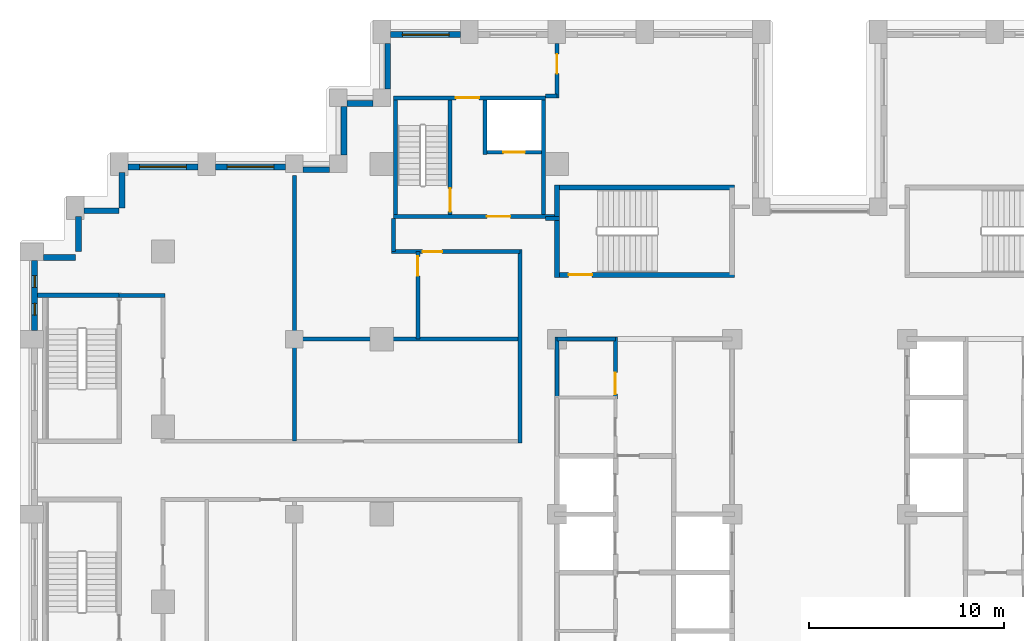
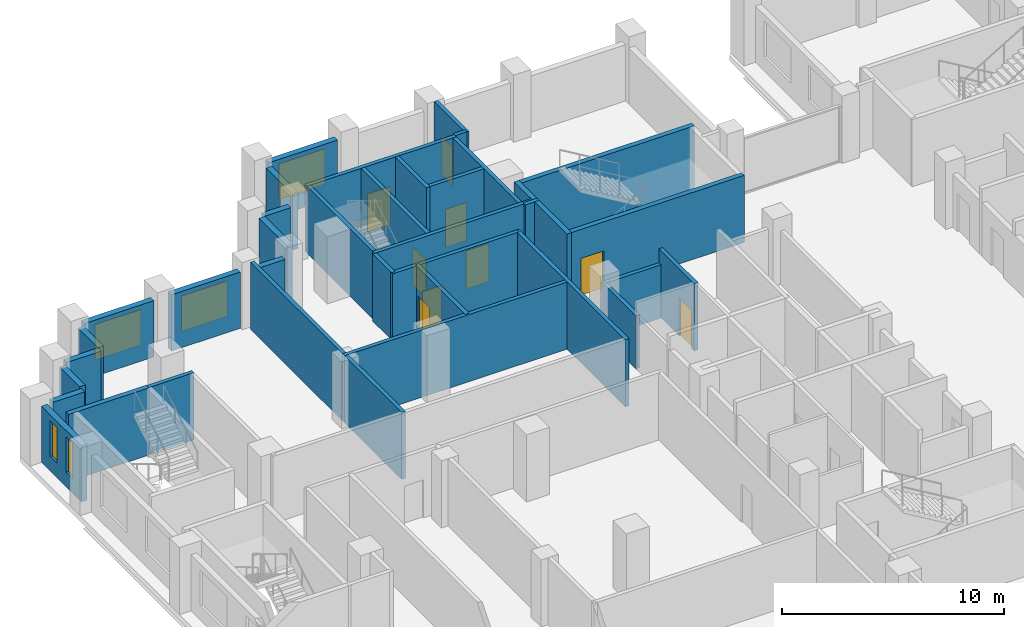
# One storey, part 9 of 15: 36 walls, 9 doors, 5 windows, 14 openings.
"""IFC4 building model written with IfcOpenShell, lengths in metres."""

from ifc_helpers import new_model, si_unit, direction, frame, frame_2d, origin, place, context, subcontext, project, spatial, rectangle, extrude, material, layer, layer_set, type_object, element, fill, save


model = new_model("IFC4")

# Units and contexts
model_context = context("Model", 3, precision=1e-05, world=origin(), true_north=direction((0.0, 1.0)))
body_context = subcontext(model_context, "Body", "Model", "MODEL_VIEW")
ifc_project = project(units=[si_unit("LENGTHUNIT", "METRE"), si_unit("AREAUNIT", "SQUARE_METRE"), si_unit("VOLUMEUNIT", "CUBIC_METRE"), si_unit("PLANEANGLEUNIT", "RADIAN"), si_unit("MASSUNIT", "GRAM", prefix="KILO")], contexts=[model_context])

# Site, building, storey
site_placement = place(None, origin())
site = spatial("IfcSite", under=ifc_project, at=site_placement, CompositionType="ELEMENT")
building_placement = place(site_placement, origin())
building = spatial("IfcBuilding", under=site, at=building_placement, Name="Corbelhall Arena Tower", CompositionType="ELEMENT")
storey_placement = place(building_placement, frame((0.0, 0.0, 80.0)))
storey = spatial("IfcBuildingStorey", under=building, at=storey_placement, Name="L12", CompositionType="ELEMENT", Elevation=80.0)

# Walls
ifc_material_1 = material(Name="Precast concrete C40/50 with granite facing", Category="masonry")
ifc_layer_1 = layer(ifc_material_1, 0.300048828125)
ifc_layer_set_1 = layer_set([ifc_layer_1], Name="EV-IW1 Infill panel 300")
wall_type_1 = type_object("IfcWallType", Name="EV-IW1 Infill panel 300", PredefinedType="SOLIDWALL", material=ifc_layer_set_1)
for number, where, z_axis, x_axis, name in (
    (1, (-35.85009765625, 17.550048828125, 0.0), (0.0, 0.0, 1.0), (0.0, -1.0, 0.0), "Infill panel IW1"),
    (2, (-37.800048828125, 15.60009765625, 0.0), (0.0, 0.0, 1.0), (1.0, 0.0, 0.0), "Infill panel IW1"),
    (3, (-38.10009765625, 15.300048828125, 0.0), (0.0, 0.0, 1.0), (0.0, -1.0, 0.0), "Infill panel IW1"),
):
    element("IfcWall", number, at=place(storey_placement, frame(where, z_axis=z_axis, x_axis=x_axis)), inside=storey, type_object=wall_type_1, Name=name, PredefinedType="SOLIDWALL", context=body_context, shape_type="SweptSolid", body=[
        extrude(rectangle(XDim=1.800048828125, YDim=0.300048828125, at=frame_2d((0.89990234375, 0.0))), origin(), (0.0, 0.0, 1.0), 3.10009765625),
    ])
wall_1_placement = place(storey_placement, frame((-39.89990234375, 13.199951171875, 0.0), z_axis=(0.0, 0.0, 1.0), x_axis=(1.0, 0.0, 0.0)))
element("IfcWall", 4, at=wall_1_placement, inside=storey, type_object=wall_type_1, Name="Infill panel IW1", PredefinedType="SOLIDWALL", context=body_context, shape_type="SweptSolid", body=[
    extrude(rectangle(XDim=1.64990234375, YDim=0.300048828125, at=frame_2d((0.824951171875, 0.0))), origin(), (0.0, 0.0, 1.0), 3.10009765625),
])
wall_2_placement = place(storey_placement, frame((-22.199951171875, 24.199951171875, 0.0), z_axis=(0.0, 0.0, 1.0), x_axis=(0.0, -1.0, 0.0)))
element("IfcWall", 5, at=wall_2_placement, inside=storey, type_object=wall_type_1, Name="Infill panel IW1", PredefinedType="SOLIDWALL", context=body_context, shape_type="SweptSolid", body=[
    extrude(rectangle(XDim=2.349853515625, YDim=0.300048828125, at=frame_2d((1.1748046875, 0.0))), origin(), (0.0, 0.0, 1.0), 3.10009765625),
])
wall_3_placement = place(storey_placement, frame((-22.949951171875, 21.10009765625, 0.0), z_axis=(0.0, 0.0, 1.0), x_axis=(-1.0, 0.0, 0.0)))
element("IfcWall", 6, at=wall_3_placement, inside=storey, type_object=wall_type_1, Name="Infill panel IW1", PredefinedType="SOLIDWALL", context=body_context, shape_type="SweptSolid", body=[
    extrude(rectangle(XDim=1.35009765625, YDim=0.300048828125, at=frame_2d((0.675048828125, 0.0))), origin(), (0.0, 0.0, 1.0), 3.10009765625),
])
wall_4_placement = place(storey_placement, frame((-24.449951171875, 20.949951171875, 0.0), z_axis=(0.0, 0.0, 1.0), x_axis=(0.0, -1.0, 0.0)))
element("IfcWall", 7, at=wall_4_placement, inside=storey, type_object=wall_type_1, Name="Infill panel IW1", PredefinedType="SOLIDWALL", context=body_context, shape_type="SweptSolid", body=[
    extrude(rectangle(XDim=2.5, YDim=0.300048828125, at=frame_2d((1.25, 0.0))), origin(), (0.0, 0.0, 1.0), 3.10009765625),
])
wall_5_placement = place(storey_placement, frame((-25.199951171875, 17.699951171875, 0.0), z_axis=(0.0, 0.0, 1.0), x_axis=(-1.0, 0.0, 0.0)))
element("IfcWall", 8, at=wall_5_placement, inside=storey, type_object=wall_type_1, Name="Infill panel IW1", PredefinedType="SOLIDWALL", context=body_context, shape_type="SweptSolid", body=[
    extrude(rectangle(XDim=1.35009765625, YDim=0.300048828125, at=frame_2d((0.675048828125, 0.0))), origin(), (0.0, 0.0, 1.0), 3.10009765625),
])

# Wall, opening, window
wall_6_placement = place(storey_placement, frame((-27.449951171875, 17.85009765625, 0.0), z_axis=(0.0, 0.0, 1.0), x_axis=(-1.0, 0.0, 0.0)))
wall_6 = element("IfcWall", 9, at=wall_6_placement, inside=storey, type_object=wall_type_1, Name="Infill panel IW1", PredefinedType="SOLIDWALL", context=body_context, shape_type="SweptSolid", body=[
    extrude(rectangle(XDim=3.60009765625, YDim=0.300048828125, at=frame_2d((1.800048828125, 0.0))), origin(), (0.0, 0.0, 1.0), 3.10009765625),
])
opening_1_placement = place(wall_6_placement, frame((0.60009765625, 0.0, 0.800048828125)))
opening_1 = element("IfcOpeningElement", 10, at=opening_1_placement, cuts=wall_6, Name="Opening WN1", PredefinedType="OPENING", context=body_context, shape_type="SweptSolid", body=[
    extrude(rectangle(XDim=2.39990234375, YDim=1.949951171875, at=frame_2d((1.199951171875, 0.97509765625))), frame((0.0, 0.14990234375, 0.0), z_axis=(0.0, -1.0, 0.0), x_axis=(1.0, 0.0, 0.0)), (0.0, 0.0, 1.0), 0.300048828125),
])
ifc_material_2 = material(Name="Aluminium black anodised", Category="aluminium")
window_type_1 = type_object("IfcWindowType", Name="EV-WN1 Office window", PartitioningType="SINGLE_PANEL", PredefinedType="WINDOW", material=ifc_material_2)
window_1_placement = place(opening_1_placement, origin())
window_1 = element("IfcWindow", 11, at=window_1_placement, inside=storey, type_object=window_type_1, Name="Window WN1", OverallHeight=1.949951171875, OverallWidth=2.39990234375, PartitioningType="SINGLE_PANEL", PredefinedType="WINDOW", context=body_context, shape_type="SweptSolid", body=[
    extrude(rectangle(XDim=2.39990234375, YDim=1.949951171875, at=frame_2d((1.199951171875, 0.97509765625))), frame((0.0, 0.030029296875, 0.0), z_axis=(0.0, -1.0, 0.0), x_axis=(1.0, 0.0, 0.0)), (0.0, 0.0, 1.0), 0.06005859375),
])
fill(opening_1, window_1)

wall_7_placement = place(storey_placement, frame((-31.949951171875, 17.85009765625, 0.0), z_axis=(0.0, 0.0, 1.0), x_axis=(-1.0, 0.0, 0.0)))
wall_7 = element("IfcWall", 12, at=wall_7_placement, inside=storey, type_object=wall_type_1, Name="Infill panel IW1", PredefinedType="SOLIDWALL", context=body_context, shape_type="SweptSolid", body=[
    extrude(rectangle(XDim=3.60009765625, YDim=0.300048828125, at=frame_2d((1.800048828125, 0.0))), origin(), (0.0, 0.0, 1.0), 3.10009765625),
])
opening_2_placement = place(wall_7_placement, frame((0.60009765625, 0.0, 0.800048828125)))
opening_2 = element("IfcOpeningElement", 13, at=opening_2_placement, cuts=wall_7, Name="Opening WN1", PredefinedType="OPENING", context=body_context, shape_type="SweptSolid", body=[
    extrude(rectangle(XDim=2.39990234375, YDim=1.949951171875, at=frame_2d((1.199951171875, 0.97509765625))), frame((0.0, 0.14990234375, 0.0), z_axis=(0.0, -1.0, 0.0), x_axis=(1.0, 0.0, 0.0)), (0.0, 0.0, 1.0), 0.300048828125),
])
window_2_placement = place(opening_2_placement, origin())
window_2 = element("IfcWindow", 14, at=window_2_placement, inside=storey, type_object=window_type_1, Name="Window WN1", OverallHeight=1.949951171875, OverallWidth=2.39990234375, PartitioningType="SINGLE_PANEL", PredefinedType="WINDOW", context=body_context, shape_type="SweptSolid", body=[
    extrude(rectangle(XDim=2.39990234375, YDim=1.949951171875, at=frame_2d((1.199951171875, 0.97509765625))), frame((0.0, 0.030029296875, 0.0), z_axis=(0.0, -1.0, 0.0), x_axis=(1.0, 0.0, 0.0)), (0.0, 0.0, 1.0), 0.06005859375),
])
fill(opening_2, window_2)

# Wall, openings, windows
wall_8_placement = place(storey_placement, frame((-40.35009765625, 13.050048828125, 0.0), z_axis=(0.0, 0.0, 1.0), x_axis=(0.0, -1.0, 0.0)))
wall_8 = element("IfcWall", 15, at=wall_8_placement, inside=storey, type_object=wall_type_1, Name="Infill panel IW1", PredefinedType="SOLIDWALL", context=body_context, shape_type="SweptSolid", body=[
    extrude(rectangle(XDim=3.60009765625, YDim=0.300048828125, at=frame_2d((1.800048828125, 0.0))), origin(), (0.0, 0.0, 1.0), 3.10009765625),
])
opening_3_placement = place(wall_8_placement, frame((0.78759765625, 0.0, 0.800048828125)))
opening_3 = element("IfcOpeningElement", 16, at=opening_3_placement, cuts=wall_8, Name="Opening WN5", PredefinedType="OPENING", context=body_context, shape_type="SweptSolid", body=[
    extrude(rectangle(XDim=0.60009765625, YDim=1.949951171875, at=frame_2d((0.300048828125, 0.97509765625))), frame((0.0, 0.14990234375, 0.0), z_axis=(0.0, -1.0, 0.0), x_axis=(1.0, 0.0, 0.0)), (0.0, 0.0, 1.0), 0.300048828125),
])
opening_4_placement = place(wall_8_placement, frame((2.21240234375, 0.0, 0.800048828125)))
opening_4 = element("IfcOpeningElement", 17, at=opening_4_placement, cuts=wall_8, Name="Opening WN5", PredefinedType="OPENING", context=body_context, shape_type="SweptSolid", body=[
    extrude(rectangle(XDim=0.60009765625, YDim=1.949951171875, at=frame_2d((0.300048828125, 0.97509765625))), frame((0.0, 0.14990234375, 0.0), z_axis=(0.0, -1.0, 0.0), x_axis=(1.0, 0.0, 0.0)), (0.0, 0.0, 1.0), 0.300048828125),
])
window_type_2 = type_object("IfcWindowType", Name="EV-WN5 Office window 600", PartitioningType="SINGLE_PANEL", PredefinedType="WINDOW", material=ifc_material_2)
window_3_placement = place(opening_3_placement, origin())
window_3 = element("IfcWindow", 18, at=window_3_placement, inside=storey, type_object=window_type_2, Name="Window WN5", OverallHeight=1.949951171875, OverallWidth=0.60009765625, PartitioningType="SINGLE_PANEL", PredefinedType="WINDOW", context=body_context, shape_type="SweptSolid", body=[
    extrude(rectangle(XDim=0.60009765625, YDim=1.949951171875, at=frame_2d((0.300048828125, 0.97509765625))), frame((0.0, 0.030029296875, 0.0), z_axis=(0.0, -1.0, 0.0), x_axis=(1.0, 0.0, 0.0)), (0.0, 0.0, 1.0), 0.06005859375),
])
fill(opening_3, window_3)
window_4_placement = place(opening_4_placement, origin())
window_4 = element("IfcWindow", 19, at=window_4_placement, inside=storey, type_object=window_type_2, Name="Window WN5", OverallHeight=1.949951171875, OverallWidth=0.60009765625, PartitioningType="SINGLE_PANEL", PredefinedType="WINDOW", context=body_context, shape_type="SweptSolid", body=[
    extrude(rectangle(XDim=0.60009765625, YDim=1.949951171875, at=frame_2d((0.300048828125, 0.97509765625))), frame((0.0, 0.030029296875, 0.0), z_axis=(0.0, -1.0, 0.0), x_axis=(1.0, 0.0, 0.0)), (0.0, 0.0, 1.0), 0.06005859375),
])
fill(opening_4, window_4)

# Wall, opening, window
wall_9_placement = place(storey_placement, frame((-18.449951171875, 24.64990234375, 0.0), z_axis=(0.0, 0.0, 1.0), x_axis=(-1.0, 0.0, 0.0)))
wall_9 = element("IfcWall", 20, at=wall_9_placement, inside=storey, type_object=wall_type_1, Name="Infill panel IW1", PredefinedType="SOLIDWALL", context=body_context, shape_type="SweptSolid", body=[
    extrude(rectangle(XDim=3.60009765625, YDim=0.300048828125, at=frame_2d((1.800048828125, 0.0))), origin(), (0.0, 0.0, 1.0), 3.10009765625),
])
opening_5_placement = place(wall_9_placement, frame((0.60009765625, 0.0, 0.800048828125)))
opening_5 = element("IfcOpeningElement", 21, at=opening_5_placement, cuts=wall_9, Name="Opening WN1", PredefinedType="OPENING", context=body_context, shape_type="SweptSolid", body=[
    extrude(rectangle(XDim=2.39990234375, YDim=1.949951171875, at=frame_2d((1.199951171875, 0.97509765625))), frame((0.0, 0.14990234375, 0.0), z_axis=(0.0, -1.0, 0.0), x_axis=(1.0, 0.0, 0.0)), (0.0, 0.0, 1.0), 0.300048828125),
])
window_5_placement = place(opening_5_placement, origin())
window_5 = element("IfcWindow", 22, at=window_5_placement, inside=storey, type_object=window_type_1, Name="Window WN1", OverallHeight=1.949951171875, OverallWidth=2.39990234375, PartitioningType="SINGLE_PANEL", PredefinedType="WINDOW", context=body_context, shape_type="SweptSolid", body=[
    extrude(rectangle(XDim=2.39990234375, YDim=1.949951171875, at=frame_2d((1.199951171875, 0.97509765625))), frame((0.0, 0.030029296875, 0.0), z_axis=(0.0, -1.0, 0.0), x_axis=(1.0, 0.0, 0.0)), (0.0, 0.0, 1.0), 0.06005859375),
])
fill(opening_5, window_5)

# Walls
ifc_material_3 = material(Name="Gypsum board on steel stud, acoustic", Category="steel")
ifc_layer_2 = layer(ifc_material_3, 0.199951171875)
ifc_layer_set_2 = layer_set([ifc_layer_2], Name="IN-W-DM200")
wall_type_2 = type_object("IfcWallType", Name="IN-W-DM200", PredefinedType="PARTITIONING", material=ifc_layer_set_2)
wall_10_placement = place(storey_placement, frame((-36.0, 11.25, 0.0), z_axis=(0.0, 0.0, 1.0), x_axis=(1.0, 0.0, 0.0)))
element("IfcWall", 23, at=wall_10_placement, inside=storey, type_object=wall_type_2, Name="Partition 001", PredefinedType="PARTITIONING", context=body_context, shape_type="SweptSolid", body=[
    extrude(rectangle(XDim=2.35009765625, YDim=0.199951171875, at=frame_2d((1.175048828125, 0.0))), origin(), (0.0, 0.0, 1.0), 3.699951171875),
])
wall_11_placement = place(storey_placement, frame((-27.10009765625, 9.0, 0.0), z_axis=(0.0, 0.0, 1.0), x_axis=(1.0, 0.0, 0.0)))
element("IfcWall", 24, at=wall_11_placement, inside=storey, type_object=wall_type_2, Name="Partition 009", PredefinedType="PARTITIONING", context=body_context, shape_type="SweptSolid", body=[
    extrude(rectangle(XDim=11.7001953125, YDim=0.199951171875, at=frame_2d((5.85009765625, 0.0))), origin(), (0.0, 0.0, 1.0), 3.699951171875),
])
wall_12_placement = place(storey_placement, frame((-27.0, 3.75, 0.0), z_axis=(0.0, 0.0, 1.0), x_axis=(0.0, 1.0, 0.0)))
element("IfcWall", 25, at=wall_12_placement, inside=storey, type_object=wall_type_2, Name="Partition 011", PredefinedType="PARTITIONING", context=body_context, shape_type="SweptSolid", body=[
    extrude(rectangle(XDim=13.64990234375, YDim=0.199951171875, at=frame_2d((6.824951171875, 0.0))), origin(), (0.0, 0.0, 1.0), 3.699951171875),
])
wall_13_placement = place(storey_placement, frame((-21.89990234375, 13.5, 0.0), z_axis=(0.0, 0.0, 1.0), x_axis=(0.0, 1.0, 0.0)))
element("IfcWall", 26, at=wall_13_placement, inside=storey, type_object=wall_type_2, Name="Partition 013", PredefinedType="PARTITIONING", context=body_context, shape_type="SweptSolid", body=[
    extrude(rectangle(XDim=1.699951171875, YDim=0.199951171875, at=frame_2d((0.85009765625, 0.0))), origin(), (0.0, 0.0, 1.0), 3.699951171875),
])

# Wall, opening, door
wall_14_placement = place(storey_placement, frame((-20.64990234375, 9.0, 0.0), z_axis=(0.0, 0.0, 1.0), x_axis=(0.0, 1.0, 0.0)))
wall_14 = element("IfcWall", 27, at=wall_14_placement, inside=storey, type_object=wall_type_2, Name="Partition 014", PredefinedType="PARTITIONING", context=body_context, shape_type="SweptSolid", body=[
    extrude(rectangle(XDim=4.5, YDim=0.199951171875, at=frame_2d((2.25, 0.0))), origin(), (0.0, 0.0, 1.0), 3.699951171875),
])
opening_6_placement = place(wall_14_placement, frame((3.25, 0.0, 0.0)))
opening_6 = element("IfcOpeningElement", 28, at=opening_6_placement, cuts=wall_14, Name="Opening 02028", PredefinedType="OPENING", context=body_context, shape_type="SweptSolid", body=[
    extrude(rectangle(XDim=1.0, YDim=2.10009765625, at=frame_2d((0.5, 1.050048828125))), frame((0.0, 0.10009765625, 0.0), z_axis=(0.0, -1.0, 0.0), x_axis=(1.0, 0.0, 0.0)), (0.0, 0.0, 1.0), 0.199951171875),
])
ifc_material_4 = material(Name="Steel door set", Category="steel")
door_type_1 = type_object("IfcDoorType", Name="IN-D-SW100", OperationType="NOTDEFINED", PredefinedType="DOOR", material=ifc_material_4)
door_1_placement = place(opening_6_placement, origin())
door_1 = element("IfcDoor", 29, at=door_1_placement, inside=storey, type_object=door_type_1, Name="Door 028", OperationType="SINGLE_SWING_LEFT", OverallHeight=2.10009765625, OverallWidth=1.0, PredefinedType="DOOR", context=body_context, shape_type="SweptSolid", body=[
    extrude(rectangle(XDim=1.0, YDim=2.10009765625, at=frame_2d((0.5, 1.050048828125))), frame((0.0, 0.02490234375, 0.0), z_axis=(0.0, -1.0, 0.0), x_axis=(1.0, 0.0, 0.0)), (0.0, 0.0, 1.0), 0.050048828125),
])
fill(opening_6, door_1)

wall_15_placement = place(storey_placement, frame((-15.39990234375, 13.5, 0.0), z_axis=(0.0, 0.0, 1.0), x_axis=(-1.0, 0.0, 0.0)))
wall_15 = element("IfcWall", 30, at=wall_15_placement, inside=storey, type_object=wall_type_2, Name="Partition 015", PredefinedType="PARTITIONING", context=body_context, shape_type="SweptSolid", body=[
    extrude(rectangle(XDim=6.60009765625, YDim=0.199951171875, at=frame_2d((3.300048828125, 0.0))), origin(), (0.0, 0.0, 1.0), 3.699951171875),
])
opening_7_placement = place(wall_15_placement, frame((4.0, 0.0, 0.0)))
opening_7 = element("IfcOpeningElement", 31, at=opening_7_placement, cuts=wall_15, Name="Opening 02027", PredefinedType="OPENING", context=body_context, shape_type="SweptSolid", body=[
    extrude(rectangle(XDim=1.0, YDim=2.10009765625, at=frame_2d((0.5, 1.050048828125))), frame((0.0, 0.10009765625, 0.0), z_axis=(0.0, -1.0, 0.0), x_axis=(1.0, 0.0, 0.0)), (0.0, 0.0, 1.0), 0.199951171875),
])
door_2_placement = place(opening_7_placement, origin())
door_2 = element("IfcDoor", 32, at=door_2_placement, inside=storey, type_object=door_type_1, Name="Door 027", OperationType="SINGLE_SWING_RIGHT", OverallHeight=2.10009765625, OverallWidth=1.0, PredefinedType="DOOR", context=body_context, shape_type="SweptSolid", body=[
    extrude(rectangle(XDim=1.0, YDim=2.10009765625, at=frame_2d((0.5, 1.050048828125))), frame((0.0, 0.02490234375, 0.0), z_axis=(0.0, -1.0, 0.0), x_axis=(1.0, 0.0, 0.0)), (0.0, 0.0, 1.0), 0.050048828125),
])
fill(opening_7, door_2)

# Walls
wall_16_placement = place(storey_placement, frame((-15.39990234375, 3.64990234375, 0.0), z_axis=(0.0, 0.0, 1.0), x_axis=(0.0, 1.0, 0.0)))
element("IfcWall", 33, at=wall_16_placement, inside=storey, type_object=wall_type_2, Name="Partition 017", PredefinedType="PARTITIONING", context=body_context, shape_type="SweptSolid", body=[
    extrude(rectangle(XDim=9.9501953125, YDim=0.199951171875, at=frame_2d((4.97509765625, 0.0))), origin(), (0.0, 0.0, 1.0), 3.699951171875),
])
wall_17_placement = place(storey_placement, frame((-14.10009765625, 15.199951171875, 0.0), z_axis=(0.0, 0.0, 1.0), x_axis=(1.0, 0.0, 0.0)))
element("IfcWall", 34, at=wall_17_placement, inside=storey, type_object=wall_type_2, Name="Partition 018", PredefinedType="PARTITIONING", context=body_context, shape_type="SweptSolid", body=[
    extrude(rectangle(XDim=0.72509765625, YDim=0.199951171875, at=frame_2d((0.362548828125, 0.0))), origin(), (0.0, 0.0, 1.0), 3.699951171875),
])
wall_18_placement = place(storey_placement, frame((-13.5, 21.5, 0.0), z_axis=(0.0, 0.0, 1.0), x_axis=(-1.0, 0.0, 0.0)))
element("IfcWall", 35, at=wall_18_placement, inside=storey, type_object=wall_type_2, Name="Partition 020", PredefinedType="PARTITIONING", context=body_context, shape_type="SweptSolid", body=[
    extrude(rectangle(XDim=0.60009765625, YDim=0.199951171875, at=frame_2d((0.300048828125, 0.0))), origin(), (0.0, 0.0, 1.0), 3.699951171875),
])

# Wall, opening, door
wall_19_placement = place(storey_placement, frame((-13.5, 24.199951171875, 0.0), z_axis=(0.0, 0.0, 1.0), x_axis=(0.0, -1.0, 0.0)))
wall_19 = element("IfcWall", 36, at=wall_19_placement, inside=storey, type_object=wall_type_2, Name="Partition 021", PredefinedType="PARTITIONING", context=body_context, shape_type="SweptSolid", body=[
    extrude(rectangle(XDim=2.800048828125, YDim=0.199951171875, at=frame_2d((1.39990234375, 0.0))), origin(), (0.0, 0.0, 1.0), 3.699951171875),
])
opening_8_placement = place(wall_19_placement, frame((0.550048828125, 0.0, 0.0)))
opening_8 = element("IfcOpeningElement", 37, at=opening_8_placement, cuts=wall_19, Name="Opening 02022", PredefinedType="OPENING", context=body_context, shape_type="SweptSolid", body=[
    extrude(rectangle(XDim=1.0, YDim=2.10009765625, at=frame_2d((0.5, 1.050048828125))), frame((0.0, 0.10009765625, 0.0), z_axis=(0.0, -1.0, 0.0), x_axis=(1.0, 0.0, 0.0)), (0.0, 0.0, 1.0), 0.199951171875),
])
door_3_placement = place(opening_8_placement, origin())
door_3 = element("IfcDoor", 38, at=door_3_placement, inside=storey, type_object=door_type_1, Name="Door 022", OperationType="SINGLE_SWING_LEFT", OverallHeight=2.10009765625, OverallWidth=1.0, PredefinedType="DOOR", context=body_context, shape_type="SweptSolid", body=[
    extrude(rectangle(XDim=1.0, YDim=2.10009765625, at=frame_2d((0.5, 1.050048828125))), frame((0.0, 0.02490234375, 0.0), z_axis=(0.0, -1.0, 0.0), x_axis=(1.0, 0.0, 0.0)), (0.0, 0.0, 1.0), 0.050048828125),
])
fill(opening_8, door_3)

ifc_material_5 = material(Name="Concrete C40/50", Category="concrete")
ifc_layer_3 = layer(ifc_material_5, 0.199951171875)
ifc_layer_set_3 = layer_set([ifc_layer_3], Name="IN-W-EAR200")
wall_type_3 = type_object("IfcWallType", Name="IN-W-EAR200", PredefinedType="SOLIDWALL", material=ifc_layer_set_3)
wall_20_placement = place(storey_placement, frame((-21.89990234375, 15.300048828125, 0.0), z_axis=(0.0, 0.0, 1.0), x_axis=(1.0, 0.0, 0.0)))
wall_20 = element("IfcWall", 39, at=wall_20_placement, inside=storey, type_object=wall_type_3, Name="Fire service turret wall south", PredefinedType="SOLIDWALL", context=body_context, shape_type="SweptSolid", body=[
    extrude(rectangle(XDim=8.27490234375, YDim=0.199951171875, at=frame_2d((4.137451171875, 0.0))), origin(), (0.0, 0.0, 1.0), 3.699951171875),
])
opening_9_placement = place(wall_20_placement, frame((4.800048828125, 0.0, 0.0)))
opening_9 = element("IfcOpeningElement", 40, at=opening_9_placement, cuts=wall_20, Name="Opening E022", PredefinedType="OPENING", context=body_context, shape_type="SweptSolid", body=[
    extrude(rectangle(XDim=1.199951171875, YDim=2.10009765625, at=frame_2d((0.60009765625, 1.050048828125))), frame((0.0, 0.10009765625, 0.0), z_axis=(0.0, -1.0, 0.0), x_axis=(1.0, 0.0, 0.0)), (0.0, 0.0, 1.0), 0.199951171875),
])
door_type_2 = type_object("IfcDoorType", Name="IN-D-ST120", OperationType="NOTDEFINED", PredefinedType="DOOR", material=ifc_material_4)
door_4_placement = place(opening_9_placement, origin())
door_4 = element("IfcDoor", 41, at=door_4_placement, inside=storey, type_object=door_type_2, Name="Door from fire service lift lobby to circulation", OperationType="SINGLE_SWING_RIGHT", OverallHeight=2.10009765625, OverallWidth=1.199951171875, PredefinedType="DOOR", context=body_context, shape_type="SweptSolid", body=[
    extrude(rectangle(XDim=1.199951171875, YDim=2.10009765625, at=frame_2d((0.60009765625, 1.050048828125))), frame((0.0, 0.02490234375, 0.0), z_axis=(0.0, -1.0, 0.0), x_axis=(1.0, 0.0, 0.0)), (0.0, 0.0, 1.0), 0.050048828125),
])
fill(opening_9, door_4)

wall_21_placement = place(storey_placement, frame((-21.89990234375, 21.39990234375, 0.0), z_axis=(0.0, 0.0, 1.0), x_axis=(1.0, 0.0, 0.0)))
wall_21 = element("IfcWall", 42, at=wall_21_placement, inside=storey, type_object=wall_type_3, Name="Fire service turret wall north", PredefinedType="SOLIDWALL", context=body_context, shape_type="SweptSolid", body=[
    extrude(rectangle(XDim=7.7998046875, YDim=0.199951171875, at=frame_2d((3.89990234375, 0.0))), origin(), (0.0, 0.0, 1.0), 3.699951171875),
])
opening_10_placement = place(wall_21_placement, frame((3.199951171875, 0.0, 0.0)))
opening_10 = element("IfcOpeningElement", 43, at=opening_10_placement, cuts=wall_21, Name="Opening E023", PredefinedType="OPENING", context=body_context, shape_type="SweptSolid", body=[
    extrude(rectangle(XDim=1.199951171875, YDim=2.10009765625, at=frame_2d((0.60009765625, 1.050048828125))), frame((0.0, 0.10009765625, 0.0), z_axis=(0.0, -1.0, 0.0), x_axis=(1.0, 0.0, 0.0)), (0.0, 0.0, 1.0), 0.199951171875),
])
door_5_placement = place(opening_10_placement, origin())
door_5 = element("IfcDoor", 44, at=door_5_placement, inside=storey, type_object=door_type_2, Name="Door from fire service lift lobby to the north gallery", OperationType="SINGLE_SWING_LEFT", OverallHeight=2.10009765625, OverallWidth=1.199951171875, PredefinedType="DOOR", context=body_context, shape_type="SweptSolid", body=[
    extrude(rectangle(XDim=1.199951171875, YDim=2.10009765625, at=frame_2d((0.60009765625, 1.050048828125))), frame((0.0, 0.02490234375, 0.0), z_axis=(0.0, -1.0, 0.0), x_axis=(1.0, 0.0, 0.0)), (0.0, 0.0, 1.0), 0.050048828125),
])
fill(opening_10, door_5)

# Walls
for number, where, z_axis, x_axis, name in (
    (45, (-21.800048828125, 15.39990234375, 0.0), (0.0, 0.0, 1.0), (0.0, 1.0, 0.0), "Fire service turret wall west"),
    (46, (-14.199951171875, 15.39990234375, 0.0), (0.0, 0.0, 1.0), (0.0, 1.0, 0.0), "Fire service turret wall east"),
):
    element("IfcWall", number, at=place(storey_placement, frame(where, z_axis=z_axis, x_axis=x_axis)), inside=storey, type_object=wall_type_3, Name=name, PredefinedType="SOLIDWALL", context=body_context, shape_type="SweptSolid", body=[
        extrude(rectangle(XDim=5.900146484375, YDim=0.199951171875, at=frame_2d((2.9501953125, 0.0))), origin(), (0.0, 0.0, 1.0), 3.699951171875),
    ])

# Wall, opening, door
wall_22_placement = place(storey_placement, frame((-18.989990234375, 15.39990234375, 0.0), z_axis=(0.0, 0.0, 1.0), x_axis=(0.0, 1.0, 0.0)))
wall_22 = element("IfcWall", 47, at=wall_22_placement, inside=storey, type_object=wall_type_3, Name="Fire service turret wall stair", PredefinedType="SOLIDWALL", context=body_context, shape_type="SweptSolid", body=[
    extrude(rectangle(XDim=5.900146484375, YDim=0.199951171875, at=frame_2d((2.9501953125, 0.0))), origin(), (0.0, 0.0, 1.0), 3.699951171875),
])
opening_11_placement = place(wall_22_placement, frame((0.14990234375, 0.0, 0.0)))
opening_11 = element("IfcOpeningElement", 48, at=opening_11_placement, cuts=wall_22, Name="Opening E021", PredefinedType="OPENING", context=body_context, shape_type="SweptSolid", body=[
    extrude(rectangle(XDim=1.199951171875, YDim=2.10009765625, at=frame_2d((0.60009765625, 1.050048828125))), frame((0.0, 0.10009765625, 0.0), z_axis=(0.0, -1.0, 0.0), x_axis=(1.0, 0.0, 0.0)), (0.0, 0.0, 1.0), 0.199951171875),
])
door_6_placement = place(opening_11_placement, origin())
door_6 = element("IfcDoor", 49, at=door_6_placement, inside=storey, type_object=door_type_2, Name="Stair door to fire service lobby", OperationType="SINGLE_SWING_LEFT", OverallHeight=2.10009765625, OverallWidth=1.199951171875, PredefinedType="DOOR", context=body_context, shape_type="SweptSolid", body=[
    extrude(rectangle(XDim=1.199951171875, YDim=2.10009765625, at=frame_2d((0.60009765625, 1.050048828125))), frame((0.0, 0.02490234375, 0.0), z_axis=(0.0, -1.0, 0.0), x_axis=(1.0, 0.0, 0.0)), (0.0, 0.0, 1.0), 0.050048828125),
])
fill(opening_11, door_6)

# Wall
wall_23_placement = place(storey_placement, frame((-17.199951171875, 18.5, 0.0), z_axis=(0.0, 0.0, 1.0), x_axis=(0.0, 1.0, 0.0)))
element("IfcWall", 50, at=wall_23_placement, inside=storey, type_object=wall_type_3, Name="Fire service turret wall hoistway west", PredefinedType="SOLIDWALL", context=body_context, shape_type="SweptSolid", body=[
    extrude(rectangle(XDim=2.800048828125, YDim=0.199951171875, at=frame_2d((1.39990234375, 0.0))), origin(), (0.0, 0.0, 1.0), 3.699951171875),
])

# Wall, opening, door
wall_24_placement = place(storey_placement, frame((-17.10009765625, 18.60009765625, 0.0), z_axis=(0.0, 0.0, 1.0), x_axis=(1.0, 0.0, 0.0)))
wall_24 = element("IfcWall", 51, at=wall_24_placement, inside=storey, type_object=wall_type_3, Name="Fire service turret wall hoistway south", PredefinedType="SOLIDWALL", context=body_context, shape_type="SweptSolid", body=[
    extrude(rectangle(XDim=2.800048828125, YDim=0.199951171875, at=frame_2d((1.39990234375, 0.0))), origin(), (0.0, 0.0, 1.0), 3.699951171875),
])
opening_12_placement = place(wall_24_placement, frame((0.85009765625, 0.0, 0.0)))
opening_12 = element("IfcOpeningElement", 52, at=opening_12_placement, cuts=wall_24, Name="Opening LD", PredefinedType="OPENING", context=body_context, shape_type="SweptSolid", body=[
    extrude(rectangle(XDim=1.10009765625, YDim=2.10009765625, at=frame_2d((0.550048828125, 1.050048828125))), frame((0.0, 0.10009765625, 0.0), z_axis=(0.0, -1.0, 0.0), x_axis=(1.0, 0.0, 0.0)), (0.0, 0.0, 1.0), 0.199951171875),
])
door_type_3 = type_object("IfcDoorType", Name="IN-D-LD110", OperationType="NOTDEFINED", PredefinedType="DOOR", material=ifc_material_4)
door_7_placement = place(opening_12_placement, origin())
door_7 = element("IfcDoor", 53, at=door_7_placement, inside=storey, type_object=door_type_3, Name="Landing door FS1", OperationType="SLIDING_TO_LEFT", OverallHeight=2.10009765625, OverallWidth=1.10009765625, PredefinedType="DOOR", context=body_context, shape_type="SweptSolid", body=[
    extrude(rectangle(XDim=1.10009765625, YDim=2.10009765625, at=frame_2d((0.550048828125, 1.050048828125))), frame((0.0, 0.02490234375, 0.0), z_axis=(0.0, -1.0, 0.0), x_axis=(1.0, 0.0, 0.0)), (0.0, 0.0, 1.0), 0.050048828125),
])
fill(opening_12, door_7)

ifc_material_6 = material(Name="Concrete block wall", Category="concrete")
ifc_layer_4 = layer(ifc_material_6, 0.199951171875)
ifc_layer_set_4 = layer_set([ifc_layer_4], Name="IN-W-RS200")
wall_type_4 = type_object("IfcWallType", Name="IN-W-RS200", PredefinedType="SOLIDWALL", material=ifc_layer_set_4)
wall_25_placement = place(storey_placement, frame((-10.5, 5.925048828125, 0.0), z_axis=(0.0, 0.0, 1.0), x_axis=(0.0, 1.0, 0.0)))
wall_25 = element("IfcWall", 54, at=wall_25_placement, inside=storey, type_object=wall_type_4, Name="Partition 046", PredefinedType="SOLIDWALL", context=body_context, shape_type="SweptSolid", body=[
    extrude(rectangle(XDim=3.175048828125, YDim=0.199951171875, at=frame_2d((1.58740234375, 0.0))), origin(), (0.0, 0.0, 1.0), 3.699951171875),
])
opening_13_placement = place(wall_25_placement, frame((0.25, 0.0, 0.0)))
opening_13 = element("IfcOpeningElement", 55, at=opening_13_placement, cuts=wall_25, Name="Opening 02007", PredefinedType="OPENING", context=body_context, shape_type="SweptSolid", body=[
    extrude(rectangle(XDim=1.10009765625, YDim=2.10009765625, at=frame_2d((0.550048828125, 1.050048828125))), frame((0.0, 0.10009765625, 0.0), z_axis=(0.0, -1.0, 0.0), x_axis=(1.0, 0.0, 0.0)), (0.0, 0.0, 1.0), 0.199951171875),
])
door_type_4 = type_object("IfcDoorType", Name="IN-D-FD110", OperationType="NOTDEFINED", PredefinedType="DOOR", material=ifc_material_4)
door_8_placement = place(opening_13_placement, origin())
door_8 = element("IfcDoor", 56, at=door_8_placement, inside=storey, type_object=door_type_4, Name="Door 007", OperationType="SINGLE_SWING_RIGHT", OverallHeight=2.10009765625, OverallWidth=1.10009765625, PredefinedType="DOOR", context=body_context, shape_type="SweptSolid", body=[
    extrude(rectangle(XDim=1.10009765625, YDim=2.10009765625, at=frame_2d((0.550048828125, 1.050048828125))), frame((0.0, 0.02490234375, 0.0), z_axis=(0.0, -1.0, 0.0), x_axis=(1.0, 0.0, 0.0)), (0.0, 0.0, 1.0), 0.050048828125),
])
fill(opening_13, door_8)

# Walls
ifc_layer_5 = layer(ifc_material_6, 0.199951171875)
ifc_layer_set_5 = layer_set([ifc_layer_5], Name="IN-W-RS200 under beam 762 mm")
wall_type_5 = type_object("IfcWallType", Name="IN-W-RS200 under beam 762 mm", PredefinedType="SOLIDWALL", material=ifc_layer_set_5)
wall_26_placement = place(storey_placement, frame((-13.5, 6.0, 0.0), z_axis=(0.0, 0.0, 1.0), x_axis=(0.0, 1.0, 0.0)))
element("IfcWall", 57, at=wall_26_placement, inside=storey, type_object=wall_type_5, Name="Partition 043", PredefinedType="SOLIDWALL", context=body_context, shape_type="SweptSolid", body=[
    extrude(rectangle(XDim=3.10009765625, YDim=0.199951171875, at=frame_2d((1.550048828125, 0.0))), origin(), (0.0, 0.0, 1.0), 2.93798828125),
])
wall_27_placement = place(storey_placement, frame((-13.5, 9.0, 0.0), z_axis=(0.0, 0.0, 1.0), x_axis=(1.0, 0.0, 0.0)))
element("IfcWall", 58, at=wall_27_placement, inside=storey, type_object=wall_type_5, Name="Partition 044", PredefinedType="SOLIDWALL", context=body_context, shape_type="SweptSolid", body=[
    extrude(rectangle(XDim=3.0, YDim=0.199951171875, at=frame_2d((1.5, 0.0))), origin(), (0.0, 0.0, 1.0), 2.93798828125),
])
ifc_layer_6 = layer(ifc_material_5, 0.25)
ifc_layer_set_6 = layer_set([ifc_layer_6], Name="IN-W-ST250")
wall_type_6 = type_object("IfcWallType", Name="IN-W-ST250", PredefinedType="SOLIDWALL", material=ifc_layer_set_6)
wall_28_placement = place(storey_placement, frame((-40.199951171875, 11.25, 0.0), z_axis=(0.0, 0.0, 1.0), x_axis=(1.0, 0.0, 0.0)))
element("IfcWall", 59, at=wall_28_placement, inside=storey, type_object=wall_type_6, Name="Shaft wall 080", PredefinedType="SOLIDWALL", context=body_context, shape_type="SweptSolid", body=[
    extrude(rectangle(XDim=4.199951171875, YDim=0.25, at=frame_2d((2.10009765625, 0.0))), origin(), (0.0, 0.0, 1.0), 3.699951171875),
])

# Wall, opening, door
wall_29_placement = place(storey_placement, frame((-13.5, 12.300048828125, 0.0), z_axis=(0.0, 0.0, 1.0), x_axis=(1.0, 0.0, 0.0)))
wall_29 = element("IfcWall", 60, at=wall_29_placement, inside=storey, type_object=wall_type_6, Name="Shaft wall 086", PredefinedType="SOLIDWALL", context=body_context, shape_type="SweptSolid", body=[
    extrude(rectangle(XDim=9.125, YDim=0.25, at=frame_2d((4.5625, 0.0))), origin(), (0.0, 0.0, 1.0), 3.699951171875),
])
opening_14_placement = place(wall_29_placement, frame((0.60009765625, 0.0, 0.0)))
opening_14 = element("IfcOpeningElement", 61, at=opening_14_placement, cuts=wall_29, Name="Opening 02014", PredefinedType="OPENING", context=body_context, shape_type="SweptSolid", body=[
    extrude(rectangle(XDim=1.199951171875, YDim=2.10009765625, at=frame_2d((0.60009765625, 1.050048828125))), frame((0.0, 0.125, 0.0), z_axis=(0.0, -1.0, 0.0), x_axis=(1.0, 0.0, 0.0)), (0.0, 0.0, 1.0), 0.25),
])
door_9_placement = place(opening_14_placement, origin())
door_9 = element("IfcDoor", 62, at=door_9_placement, inside=storey, type_object=door_type_2, Name="Door 014", OperationType="SINGLE_SWING_LEFT", OverallHeight=2.10009765625, OverallWidth=1.199951171875, PredefinedType="DOOR", context=body_context, shape_type="SweptSolid", body=[
    extrude(rectangle(XDim=1.199951171875, YDim=2.10009765625, at=frame_2d((0.60009765625, 1.050048828125))), frame((0.0, 0.02490234375, 0.0), z_axis=(0.0, -1.0, 0.0), x_axis=(1.0, 0.0, 0.0)), (0.0, 0.0, 1.0), 0.050048828125),
])
fill(opening_14, door_9)

# Walls
wall_30_placement = place(storey_placement, frame((-13.5, 12.175048828125, 0.0), z_axis=(0.0, 0.0, 1.0), x_axis=(0.0, 1.0, 0.0)))
element("IfcWall", 63, at=wall_30_placement, inside=storey, type_object=wall_type_6, Name="Shaft wall 087", PredefinedType="SOLIDWALL", context=body_context, shape_type="SweptSolid", body=[
    extrude(rectangle(XDim=4.75, YDim=0.25, at=frame_2d((2.375, 0.0))), origin(), (0.0, 0.0, 1.0), 3.699951171875),
])
wall_31_placement = place(storey_placement, frame((-13.5, 16.800048828125, 0.0), z_axis=(0.0, 0.0, 1.0), x_axis=(1.0, 0.0, 0.0)))
element("IfcWall", 64, at=wall_31_placement, inside=storey, type_object=wall_type_6, Name="Shaft wall 088", PredefinedType="SOLIDWALL", context=body_context, shape_type="SweptSolid", body=[
    extrude(rectangle(XDim=9.125, YDim=0.25, at=frame_2d((4.5625, 0.0))), origin(), (0.0, 0.0, 1.0), 3.699951171875),
])

save(model, "model.ifc")
